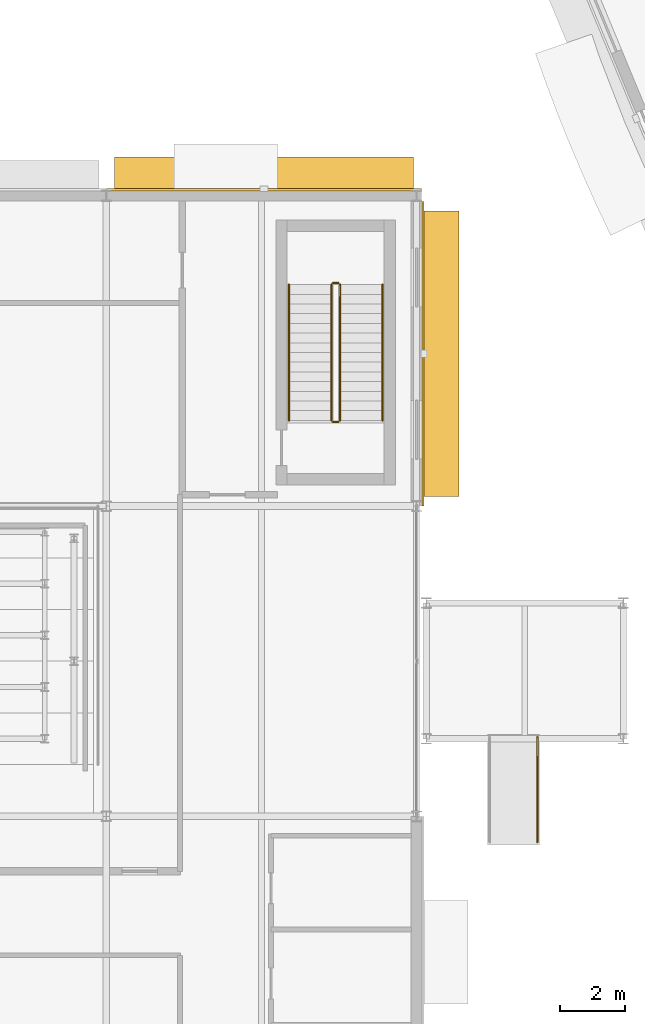
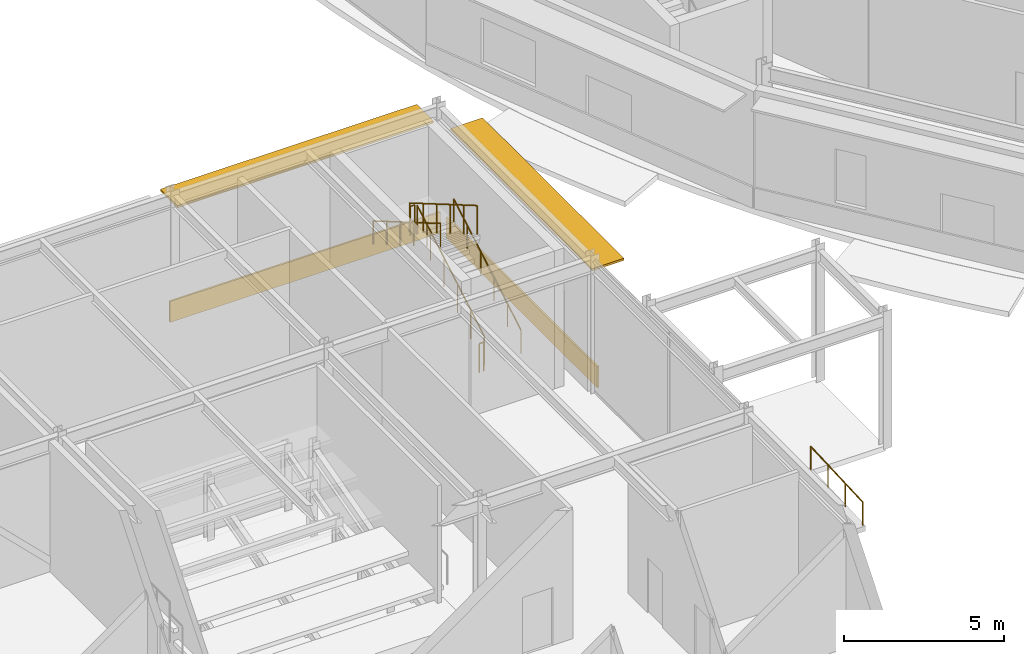
# One storey, part 143 of 168: 7 railings, 2 coverings, 2 shading devices.
"""IFC4 building model written with IfcOpenShell, lengths in metres."""

from ifc_helpers import new_model, si_unit, direction, frame, origin, origin_2d, place, context, subcontext, project, spatial, rectangle, circle, extrude, material, layer, layer_set, type_object, element, save


model = new_model("IFC4")

# Units and contexts
model_context = context("Model", 3, precision=1e-05, world=origin(), true_north=direction((0.0, 1.0)))
body_context = subcontext(model_context, "Body", "Model", "MODEL_VIEW")
ifc_project = project(units=[si_unit("LENGTHUNIT", "METRE"), si_unit("AREAUNIT", "SQUARE_METRE"), si_unit("VOLUMEUNIT", "CUBIC_METRE"), si_unit("PLANEANGLEUNIT", "RADIAN"), si_unit("MASSUNIT", "GRAM", prefix="KILO")], contexts=[model_context])

# Site, building, storey
site_placement = place(None, origin())
site = spatial("IfcSite", under=ifc_project, at=site_placement, CompositionType="ELEMENT")
building_placement = place(site_placement, origin())
building = spatial("IfcBuilding", under=site, at=building_placement, Name="Almandine Court Research Institute", CompositionType="ELEMENT")
storey_placement = place(building_placement, origin())
storey = spatial("IfcBuildingStorey", under=building, at=storey_placement, Name="L00", CompositionType="ELEMENT", Elevation=0.0)

# Coverings
ifc_material_1 = material(Name="Honed Andean Red-Buff Sandstone Cladding", Category="masonry")
ifc_layer_1 = layer(ifc_material_1, 0.06494140625)
ifc_layer_set_1 = layer_set([ifc_layer_1], Name="Honed Andean Red-Buff Sandstone Cladding")
covering_type = type_object("IfcCoveringType", Name="Cov-CLAD-SAND", PredefinedType="CLADDING", material=ifc_layer_set_1)
covering_1_placement = place(storey_placement, frame((30.0791015625, 34.985107421875, 0.02001953125), z_axis=(0.0, 0.0, 1.0), x_axis=(1.0, 0.0, 0.0)))
element("IfcCovering", 1, at=covering_1_placement, inside=storey, type_object=covering_type, Name="L00 Facade Spandrel Cladding Band 6", PredefinedType="CLADDING", context=body_context, shape_type="SweptSolid", body=[
    extrude(rectangle(XDim=9.7509765625, YDim=0.06494140625, at=origin_2d()), origin(), (0.0, 0.0, 1.0), 0.800048828125),
])
covering_2_placement = place(storey_placement, frame((35.0, 29.9150390625, 0.02001953125), z_axis=(0.0, 0.0, 1.0), x_axis=(0.0, -1.0, 0.0)))
element("IfcCovering", 2, at=covering_2_placement, inside=storey, type_object=covering_type, Name="L00 Facade Spandrel Cladding Band 8", PredefinedType="CLADDING", context=body_context, shape_type="SweptSolid", body=[
    extrude(rectangle(XDim=9.422119140625, YDim=0.06494140625, at=origin_2d()), origin(), (0.0, 0.0, 1.0), 0.800048828125),
])

# Railings
ifc_material_2 = material(Name="Powder-Coated Steel Stair and Atrium Balustrade", Category="steel")
railing_type_1 = type_object("IfcRailingType", Name="Rail-GUARD-INT", PredefinedType="BALUSTRADE", material=ifc_material_2)
railing_1_placement = place(storey_placement, frame((32.429931640625, 27.85009765625, 0.175048828125)))
element("IfcRailing", 3, at=railing_1_placement, inside=storey, type_object=railing_type_1, Name="L00 ST-02 stair guard 1", PredefinedType="BALUSTRADE", context=body_context, shape_type="SweptSolid", body=[
    extrude(circle(Radius=0.02392578125, at=origin_2d()), frame((0.0, 0.0, 1.09619140625), z_axis=(0.0, 0.863780722019, 0.50386790359), x_axis=(-1.0, 0.0, 0.0)), (0.0, 0.0, 1.0), 4.8623046875),
    extrude(circle(Radius=0.02099609375, at=origin_2d()), origin(), (0.0, 0.0, 1.0), 1.072021484375),
    extrude(circle(Radius=0.02099609375, at=origin_2d()), frame((0.0, 0.840087890625, 0.489990234375)), (0.0, 0.0, 1.0), 1.072021484375),
    extrude(circle(Radius=0.02099609375, at=origin_2d()), frame((0.0, 1.679931640625, 0.97998046875)), (0.0, 0.0, 1.0), 1.072021484375),
    extrude(circle(Radius=0.02099609375, at=origin_2d()), frame((0.0, 2.52001953125, 1.469970703125)), (0.0, 0.0, 1.0), 1.072021484375),
    extrude(circle(Radius=0.02099609375, at=origin_2d()), frame((0.0, 3.35986328125, 1.9599609375)), (0.0, 0.0, 1.0), 1.072021484375),
    extrude(circle(Radius=0.02099609375, at=origin_2d()), frame((0.0, 4.199951171875, 2.449951171875)), (0.0, 0.0, 1.0), 1.072021484375),
])
railing_2_placement = place(storey_placement, frame((32.3798828125, 32.10009765625, 2.625)))
element("IfcRailing", 4, at=railing_2_placement, inside=storey, type_object=railing_type_1, Name="L00 ST-02 stair guard 2", PredefinedType="BALUSTRADE", context=body_context, shape_type="SweptSolid", body=[
    extrude(circle(Radius=0.02392578125, at=origin_2d()), frame((0.0, 0.0, 1.09619140625), z_axis=(-1.0, 0.0, 0.0), x_axis=(0.0, -1.0, 0.0)), (0.0, 0.0, 1.0), 0.159912109375),
    extrude(circle(Radius=0.02099609375, at=origin_2d()), origin(), (0.0, 0.0, 1.0), 1.072021484375),
    extrude(circle(Radius=0.02099609375, at=origin_2d()), frame((-0.159912109375, 0.0, 0.0)), (0.0, 0.0, 1.0), 1.072021484375),
])
railing_3_placement = place(storey_placement, frame((32.169921875, 32.050048828125, 2.800048828125)))
element("IfcRailing", 5, at=railing_3_placement, inside=storey, type_object=railing_type_1, Name="L00 ST-02 stair guard 3", PredefinedType="BALUSTRADE", context=body_context, shape_type="SweptSolid", body=[
    extrude(circle(Radius=0.02392578125, at=origin_2d()), frame((0.0, 0.0, 1.09619140625), z_axis=(0.0, -0.863780722019, 0.50386790359), x_axis=(1.0, 0.0, 0.0)), (0.0, 0.0, 1.0), 4.8623046875),
    extrude(circle(Radius=0.02099609375, at=origin_2d()), origin(), (0.0, 0.0, 1.0), 1.072021484375),
    extrude(circle(Radius=0.02099609375, at=origin_2d()), frame((0.0, -0.840087890625, 0.489990234375)), (0.0, 0.0, 1.0), 1.072021484375),
    extrude(circle(Radius=0.02099609375, at=origin_2d()), frame((0.0, -1.679931640625, 0.97998046875)), (0.0, 0.0, 1.0), 1.072021484375),
    extrude(circle(Radius=0.02099609375, at=origin_2d()), frame((0.0, -2.52001953125, 1.469970703125)), (0.0, 0.0, 1.0), 1.072021484375),
    extrude(circle(Radius=0.02099609375, at=origin_2d()), frame((0.0, -3.35986328125, 1.9599609375)), (0.0, 0.0, 1.0), 1.072021484375),
    extrude(circle(Radius=0.02099609375, at=origin_2d()), frame((0.0, -4.199951171875, 2.449951171875)), (0.0, 0.0, 1.0), 1.072021484375),
])
railing_4_placement = place(storey_placement, frame((32.3798828125, 27.800048828125, 0.0)))
element("IfcRailing", 6, at=railing_4_placement, inside=storey, type_object=railing_type_1, Name="L00 ST-02 stair guard 4", PredefinedType="BALUSTRADE", context=body_context, shape_type="SweptSolid", body=[
    extrude(circle(Radius=0.02392578125, at=origin_2d()), frame((0.0, 0.0, 1.09619140625), z_axis=(-1.0, 0.0, 0.0), x_axis=(0.0, -1.0, 0.0)), (0.0, 0.0, 1.0), 0.159912109375),
    extrude(circle(Radius=0.02099609375, at=origin_2d()), origin(), (0.0, 0.0, 1.0), 1.072021484375),
    extrude(circle(Radius=0.02099609375, at=origin_2d()), frame((-0.159912109375, 0.0, 0.0)), (0.0, 0.0, 1.0), 1.072021484375),
])
ifc_material_3 = material(Name="Brushed Stainless Steel Exterior Ramp Handrail", Category="steel")
railing_type_2 = type_object("IfcRailingType", Name="Rail-HAND-EXT", PredefinedType="HANDRAIL", material=ifc_material_3)
railing_5_placement = place(storey_placement, frame((38.5400390625, 14.800048828125, -0.14990234375)))
element("IfcRailing", 7, at=railing_5_placement, inside=storey, type_object=railing_type_2, Name="Southwest Dalan Courtyard Accessible Ramp Handrail R", PredefinedType="HANDRAIL", context=body_context, shape_type="SweptSolid", body=[
    extrude(circle(Radius=0.02392578125, at=origin_2d()), frame((0.0, 0.0, 0.8759765625), z_axis=(0.0, 0.998937991816, 0.046074814226), x_axis=(-1.0, 0.0, 0.0)), (0.0, 0.0, 1.0), 3.25341796875),
    extrude(circle(Radius=0.02099609375, at=origin_2d()), origin(), (0.0, 0.0, 1.0), 0.851806640625),
    extrude(circle(Radius=0.02099609375, at=origin_2d()), frame((0.0, 1.083251953125, 0.050048828125)), (0.0, 0.0, 1.0), 0.851806640625),
    extrude(circle(Radius=0.02099609375, at=origin_2d()), frame((0.0, 2.166748046875, 0.099853515625)), (0.0, 0.0, 1.0), 0.851806640625),
    extrude(circle(Radius=0.02099609375, at=origin_2d()), frame((0.0, 3.25, 0.14990234375)), (0.0, 0.0, 1.0), 0.851806640625),
])
ifc_material_4 = material(Name="Brushed Stainless Steel Wall Handrail", Category="steel")
railing_type_3 = type_object("IfcRailingType", Name="Rail-HAND-INT", PredefinedType="HANDRAIL", material=ifc_material_4)
railing_6_placement = place(storey_placement, frame((33.75, 27.85009765625, 0.175048828125)))
element("IfcRailing", 8, at=railing_6_placement, inside=storey, type_object=railing_type_3, Name="L00 ST-02 stair handrail 1", PredefinedType="HANDRAIL", context=body_context, shape_type="SweptSolid", body=[
    extrude(circle(Radius=0.02392578125, at=origin_2d()), frame((0.0, 0.0, 0.8759765625), z_axis=(0.0, 0.863780722019, 0.50386790359), x_axis=(-1.0, 0.0, 0.0)), (0.0, 0.0, 1.0), 4.8623046875),
    extrude(circle(Radius=0.02099609375, at=origin_2d()), origin(), (0.0, 0.0, 1.0), 0.851806640625),
    extrude(circle(Radius=0.02099609375, at=origin_2d()), frame((0.0, 0.840087890625, 0.489990234375)), (0.0, 0.0, 1.0), 0.851806640625),
    extrude(circle(Radius=0.02099609375, at=origin_2d()), frame((0.0, 1.679931640625, 0.97998046875)), (0.0, 0.0, 1.0), 0.851806640625),
    extrude(circle(Radius=0.02099609375, at=origin_2d()), frame((0.0, 2.52001953125, 1.469970703125)), (0.0, 0.0, 1.0), 0.851806640625),
    extrude(circle(Radius=0.02099609375, at=origin_2d()), frame((0.0, 3.35986328125, 1.9599609375)), (0.0, 0.0, 1.0), 0.851806640625),
    extrude(circle(Radius=0.02099609375, at=origin_2d()), frame((0.0, 4.199951171875, 2.449951171875)), (0.0, 0.0, 1.0), 0.851806640625),
])
railing_7_placement = place(storey_placement, frame((30.85009765625, 32.050048828125, 2.800048828125)))
element("IfcRailing", 9, at=railing_7_placement, inside=storey, type_object=railing_type_3, Name="L00 ST-02 stair handrail 2", PredefinedType="HANDRAIL", context=body_context, shape_type="SweptSolid", body=[
    extrude(circle(Radius=0.02392578125, at=origin_2d()), frame((0.0, 0.0, 0.8759765625), z_axis=(0.0, -0.863780722019, 0.50386790359), x_axis=(1.0, 0.0, 0.0)), (0.0, 0.0, 1.0), 4.8623046875),
    extrude(circle(Radius=0.02099609375, at=origin_2d()), origin(), (0.0, 0.0, 1.0), 0.851806640625),
    extrude(circle(Radius=0.02099609375, at=origin_2d()), frame((0.0, -0.840087890625, 0.489990234375)), (0.0, 0.0, 1.0), 0.851806640625),
    extrude(circle(Radius=0.02099609375, at=origin_2d()), frame((0.0, -1.679931640625, 0.97998046875)), (0.0, 0.0, 1.0), 0.851806640625),
    extrude(circle(Radius=0.02099609375, at=origin_2d()), frame((0.0, -2.52001953125, 1.469970703125)), (0.0, 0.0, 1.0), 0.851806640625),
    extrude(circle(Radius=0.02099609375, at=origin_2d()), frame((0.0, -3.35986328125, 1.9599609375)), (0.0, 0.0, 1.0), 0.851806640625),
    extrude(circle(Radius=0.02099609375, at=origin_2d()), frame((0.0, -4.199951171875, 2.449951171875)), (0.0, 0.0, 1.0), 0.851806640625),
])

# Shading devices
ifc_material_5 = material(Name="Precast GFRC Chhajja Sunshade and Acoustic Louvre", Category="concrete")
ifc_layer_2 = layer(ifc_material_5, 0.080078125)
ifc_layer_set_2 = layer_set([ifc_layer_2], Name="Precast GFRC Chhajja Sunshade and Acoustic Louvre")
shading_device_type_1 = type_object("IfcShadingDeviceType", Name="Shd-SD-02", PredefinedType="AWNING", material=ifc_layer_set_2)
shading_device_1_placement = place(storey_placement, frame((30.0791015625, 35.469970703125, 4.303955078125), z_axis=(0.0, 0.0, 1.0), x_axis=(1.0, 0.0, 0.0)))
element("IfcShadingDevice", 10, at=shading_device_1_placement, inside=storey, type_object=shading_device_type_1, Name="L00 Projecting Chhajja Sunshade 2", PredefinedType="AWNING", context=body_context, shape_type="SweptSolid", body=[
    extrude(rectangle(XDim=9.240966796875, YDim=1.050048828125, at=origin_2d()), origin(), (0.0, 0.0, 1.0), 0.080078125),
])
ifc_layer_3 = layer(ifc_material_5, 0.080078125)
ifc_layer_set_3 = layer_set([ifc_layer_3], Name="Precast GFRC Chhajja Sunshade and Acoustic Louvre")
shading_device_type_2 = type_object("IfcShadingDeviceType", Name="Shd-SD-03", PredefinedType="AWNING", material=ifc_layer_set_3)
shading_device_2_placement = place(storey_placement, frame((35.534912109375, 29.9150390625, 4.303955078125), z_axis=(0.0, 0.0, 1.0), x_axis=(0.0, -1.0, 0.0)))
element("IfcShadingDevice", 11, at=shading_device_2_placement, inside=storey, type_object=shading_device_type_2, Name="L00 Projecting Chhajja Sunshade 3", PredefinedType="AWNING", context=body_context, shape_type="SweptSolid", body=[
    extrude(rectangle(XDim=8.83203125, YDim=1.14990234375, at=origin_2d()), origin(), (0.0, 0.0, 1.0), 0.080078125),
])

save(model, "model.ifc")
